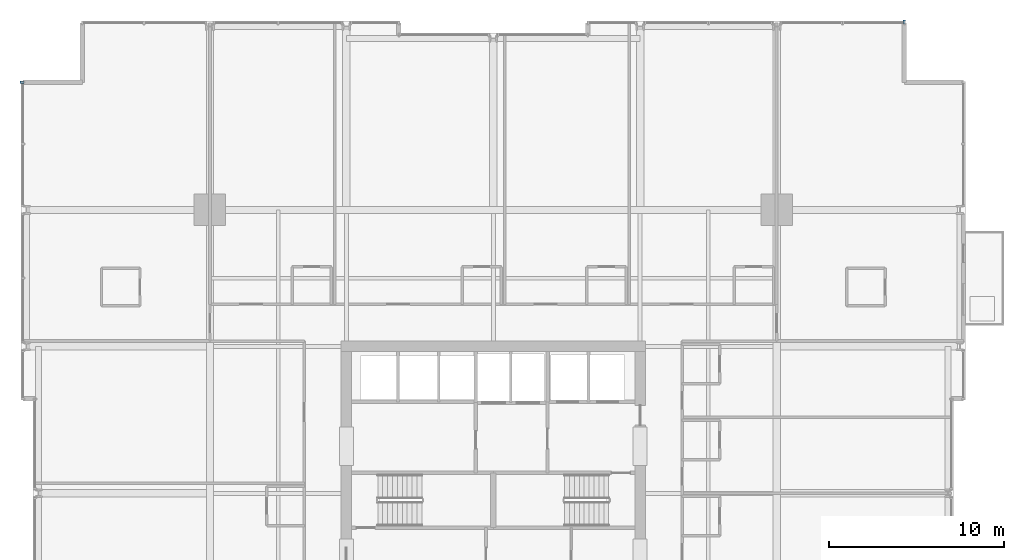
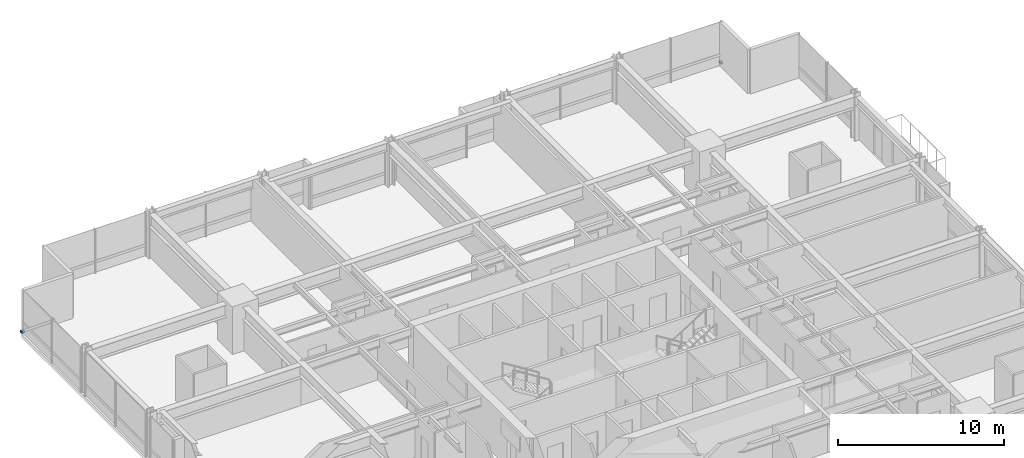
# One storey, part 35 of 38: 2 discrete accessories.
"""IFC4 building model written with IfcOpenShell, lengths in metres."""

from ifc_helpers import new_model, si_unit, direction, frame, origin, origin_2d, place, context, subcontext, project, spatial, rectangle, extrude, material, type_object, element, save


model = new_model("IFC4")

# Units and contexts
model_context = context("Model", 3, precision=1e-05, world=origin(), true_north=direction((0.0, 1.0)))
body_context = subcontext(model_context, "Body", "Model", "MODEL_VIEW")
ifc_project = project(units=[si_unit("LENGTHUNIT", "METRE"), si_unit("AREAUNIT", "SQUARE_METRE"), si_unit("VOLUMEUNIT", "CUBIC_METRE"), si_unit("PLANEANGLEUNIT", "RADIAN"), si_unit("MASSUNIT", "GRAM", prefix="KILO")], contexts=[model_context])

# Site, building, storey
site_placement = place(None, origin())
site = spatial("IfcSite", under=ifc_project, at=site_placement, CompositionType="ELEMENT")
building_placement = place(site_placement, origin())
building = spatial("IfcBuilding", under=site, at=building_placement, Name="Drelvath Grand Hotel", CompositionType="ELEMENT")
storey_placement = place(building_placement, frame((0.0, 0.0, 47.199951171875)))
storey = spatial("IfcBuildingStorey", under=building, at=storey_placement, Name="L10", CompositionType="ELEMENT", Elevation=47.199951171875)

# Discrete accessories
ifc_material = material(Name="Stainless Steel Grade 316", Category="steel")
discrete_accessory_type = type_object("IfcDiscreteAccessoryType", Name="Curtain Wall Fin Mounting Bracket Cleat", PredefinedType="BRACKET", material=ifc_material)
for number, where, z_axis, x_axis, name in (
    (1, (-26.93994140625, 50.5, 0.10009765625), (0.0, 0.0, 1.0), (0.0, 1.0, 0.0), "L10 Fin Mounting Bracket CW02-L10-WN3-1"),
    (2, (23.5, 53.93994140625, 0.10009765625), (0.0, 0.0, 1.0), (1.0, 0.0, 0.0), "L10 Fin Mounting Bracket CW02-L10-NE3-1"),
):
    element("IfcDiscreteAccessory", number, at=place(storey_placement, frame(where, z_axis=z_axis, x_axis=x_axis)), inside=storey, type_object=discrete_accessory_type, Name=name, PredefinedType="BRACKET", context=body_context, shape_type="SweptSolid", body=[
        extrude(rectangle(XDim=0.159912109375, YDim=0.239990234375, at=origin_2d()), origin(), (0.0, 0.0, 1.0), 0.159912109375),
    ])

save(model, "model.ifc")
